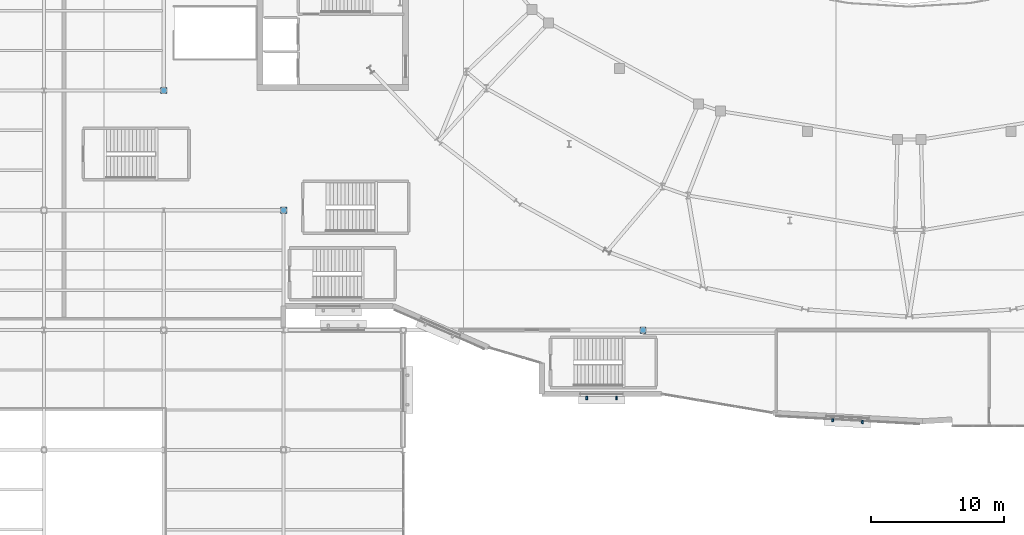
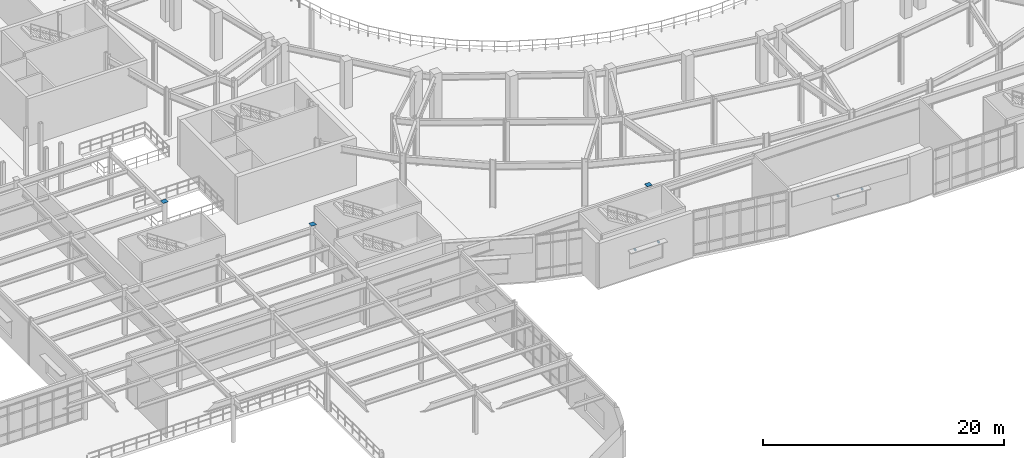
# One storey, part 72 of 86: 7 discrete accessories.
"""IFC4 building model written with IfcOpenShell, lengths in metres."""

from ifc_helpers import new_model, si_unit, direction, frame, origin, origin_2d, place, context, subcontext, project, spatial, rectangle, extrude, material, type_object, element, save


model = new_model("IFC4")

# Units and contexts
model_context = context("Model", 3, precision=1e-05, world=origin(), true_north=direction((0.0, 1.0)))
body_context = subcontext(model_context, "Body", "Model", "MODEL_VIEW")
ifc_project = project(units=[si_unit("LENGTHUNIT", "METRE"), si_unit("AREAUNIT", "SQUARE_METRE"), si_unit("VOLUMEUNIT", "CUBIC_METRE"), si_unit("PLANEANGLEUNIT", "RADIAN"), si_unit("MASSUNIT", "GRAM", prefix="KILO")], contexts=[model_context])

# Site, building, storey
site_placement = place(None, origin())
site = spatial("IfcSite", under=ifc_project, at=site_placement, CompositionType="ELEMENT")
building_placement = place(site_placement, origin())
building = spatial("IfcBuilding", under=site, at=building_placement, Name="Glasvene Arena", CompositionType="ELEMENT")
storey_placement = place(building_placement, frame((0.0, 0.0, 5.39990234375)))
storey = spatial("IfcBuildingStorey", under=building, at=storey_placement, Name="L01", CompositionType="ELEMENT", Elevation=5.39990234375)

# Discrete accessories
ifc_material_1 = material(Name="Steel S355J2", Category="steel")
discrete_accessory_type_1 = type_object("IfcDiscreteAccessoryType", Name="ACC-CAP-CHS420", PredefinedType="USERDEFINED", material=ifc_material_1)
for number, where, z_axis, x_axis, name in (
    (1, (36.0, 45.0, 4.798095703125), (0.0, 0.0, 1.0), (1.0, 0.0, 0.0), "Hollow column top cap plate 5-6 L01"),
    (2, (45.0, 36.0, 4.798095703125), (0.0, 0.0, 1.0), (1.0, 0.0, 0.0), "Hollow column top cap plate 6-5 L01"),
    (3, (72.0, 27.0, 4.798095703125), (0.0, 0.0, 1.0), (1.0, 0.0, 0.0), "Hollow column top cap plate 9-4 L01"),
):
    element("IfcDiscreteAccessory", number, at=place(storey_placement, frame(where, z_axis=z_axis, x_axis=x_axis)), inside=storey, type_object=discrete_accessory_type_1, Name=name, ObjectType="CAP PLATE", PredefinedType="USERDEFINED", context=body_context, shape_type="SweptSolid", body=[
        extrude(rectangle(XDim=0.47998046875, YDim=0.47998046875, at=origin_2d()), origin(), (0.0, 0.0, 1.0), 0.02001953125),
    ])
ifc_material_2 = material(Name="Warm bronze architectural aluminium", Category="aluminium")
discrete_accessory_type_2 = type_object("IfcDiscreteAccessoryType", Name="ACC-FIN-BRK", PredefinedType="BRACKET", material=ifc_material_2)
for number, where, z_axis, x_axis, name in (
    (4, (88.481689453125, 20.101318359375, 2.72021484375), (0.0, 0.0, 1.0), (-0.998450491665, 0.055647243357, 0.0), "Brise-soleil wall bracket BK-023"),
    (5, (86.2451171875, 20.2255859375, 2.72021484375), (0.0, 0.0, 1.0), (-0.998450491665, 0.055647243357, 0.0), "Brise-soleil wall bracket BK-023"),
    (6, (70.009765625, 21.89990234375, 2.72021484375), (0.0, 0.0, 1.0), (-1.0, 0.0, 0.0), "Brise-soleil wall bracket BK-024"),
    (7, (67.769775390625, 21.89990234375, 2.72021484375), (0.0, 0.0, 1.0), (-1.0, 0.0, 0.0), "Brise-soleil wall bracket BK-024"),
):
    element("IfcDiscreteAccessory", number, at=place(storey_placement, frame(where, z_axis=z_axis, x_axis=x_axis)), inside=storey, type_object=discrete_accessory_type_2, Name=name, PredefinedType="BRACKET", context=body_context, shape_type="SweptSolid", body=[
        extrude(rectangle(XDim=0.139892578125, YDim=0.239990234375, at=origin_2d()), origin(), (0.0, 0.0, 1.0), 0.139892578125),
    ])

save(model, "model.ifc")
